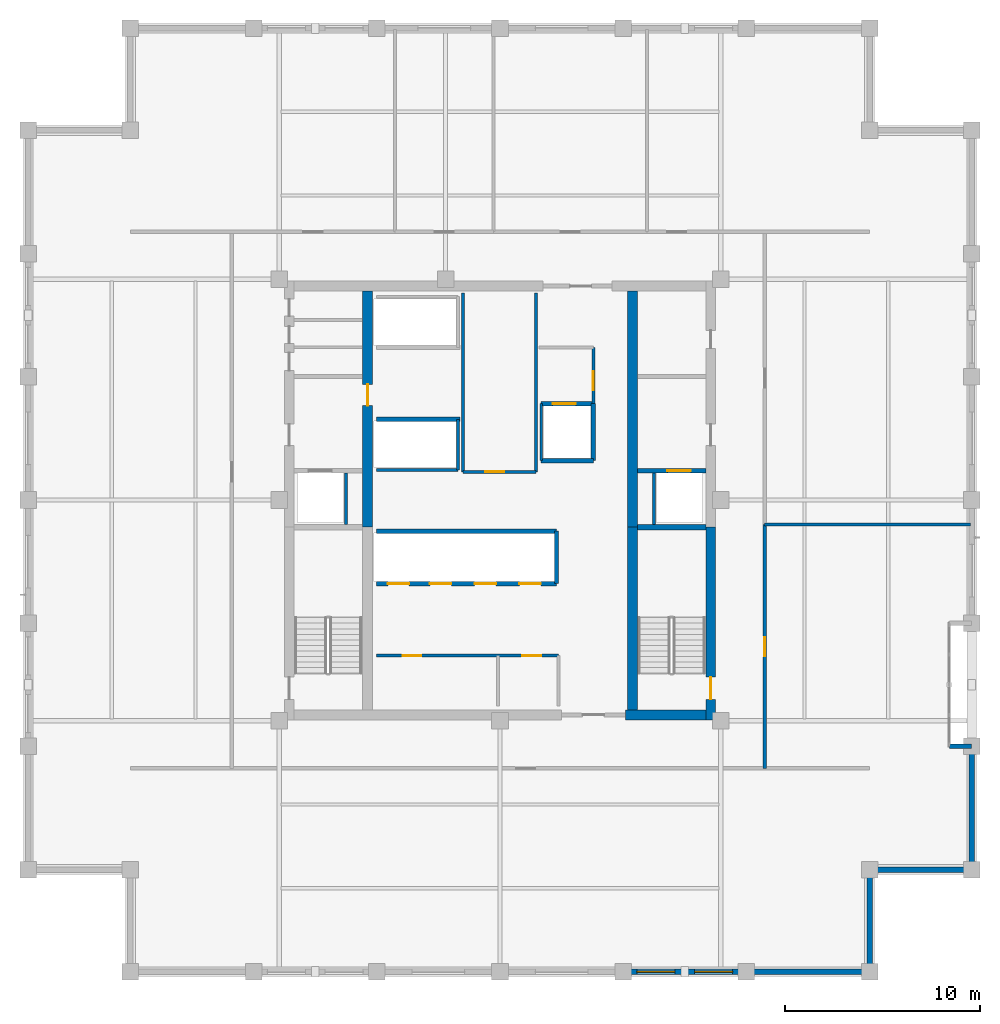
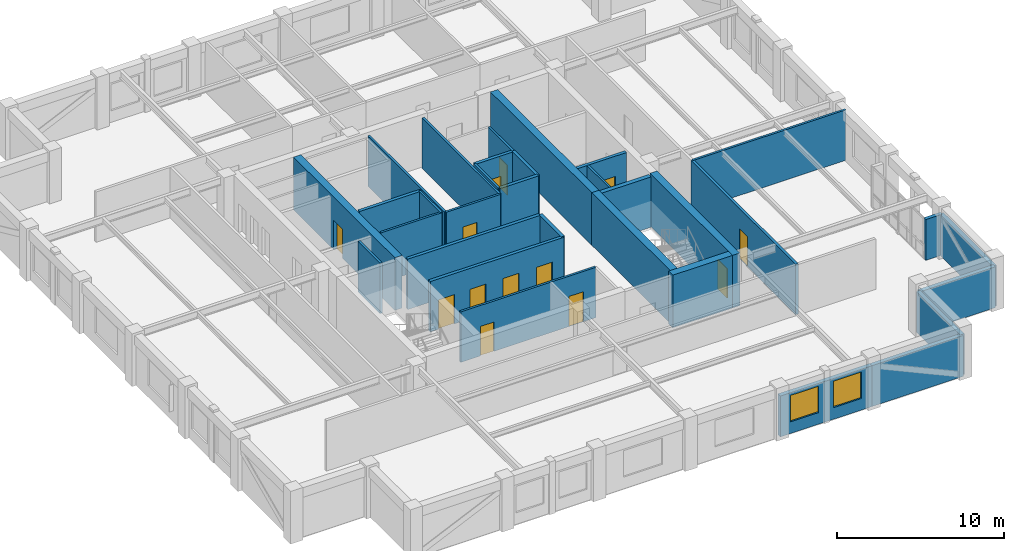
# One storey, part 8 of 11: 32 walls, 13 doors, 2 windows, 15 openings.
"""IFC4 building model written with IfcOpenShell, lengths in metres."""

from ifc_helpers import new_model, si_unit, direction, frame, frame_2d, origin, place, context, subcontext, project, spatial, rectangle, extrude, material, layer, layer_set, type_object, element, fill, save


model = new_model("IFC4")

# Units and contexts
model_context = context("Model", 3, precision=1e-05, world=origin(), true_north=direction((0.0, 1.0)))
body_context = subcontext(model_context, "Body", "Model", "MODEL_VIEW")
ifc_project = project(units=[si_unit("LENGTHUNIT", "METRE"), si_unit("AREAUNIT", "SQUARE_METRE"), si_unit("VOLUMEUNIT", "CUBIC_METRE"), si_unit("PLANEANGLEUNIT", "RADIAN"), si_unit("MASSUNIT", "GRAM", prefix="KILO")], contexts=[model_context])

# Site, building, storey
site_placement = place(None, origin())
site = spatial("IfcSite", under=ifc_project, at=site_placement, CompositionType="ELEMENT")
building_placement = place(site_placement, origin())
building = spatial("IfcBuilding", under=site, at=building_placement, Name="Nhamokura Convention Tower", CompositionType="ELEMENT")
storey_placement = place(building_placement, frame((0.0, 0.0, 244.64990234375)))
storey = spatial("IfcBuildingStorey", under=building, at=storey_placement, Name="L60", CompositionType="ELEMENT", Elevation=244.64990234375)

# Wall, openings, windows
ifc_material_1 = material(Name="Bronze-pigmented precast concrete C45/55", Category="concrete")
ifc_layer_1 = layer(ifc_material_1, 0.280029296875)
ifc_layer_set_1 = layer_set([ifc_layer_1], Name="BronzePrecastSpandrel_280")
wall_type_1 = type_object("IfcWallType", Name="BronzePrecastSpandrel_280", PredefinedType="USERDEFINED", material=ifc_layer_set_1)
wall_1_placement = place(storey_placement, frame((44.666748046875, 7.75, 0.0), z_axis=(0.0, 0.0, 1.0), x_axis=(-1.0, 0.0, 0.0)))
wall_1 = element("IfcWall", 1, at=wall_1_placement, inside=storey, type_object=wall_type_1, Name="L60 Masonry-Frame Wall SOUTH 4", ObjectType="SPANDREL_WALL", PredefinedType="USERDEFINED", context=body_context, shape_type="SweptSolid", body=[
    extrude(rectangle(XDim=6.33349609375, YDim=0.280029296875, at=frame_2d((3.166748046875, 0.0))), origin(), (0.0, 0.0, 1.0), 2.985107421875),
])
opening_1_placement = place(wall_1_placement, frame((0.708251953125, 0.0, 0.85009765625)))
opening_1 = element("IfcOpeningElement", 2, at=opening_1_placement, cuts=wall_1, Name="Opening W-08", PredefinedType="OPENING", context=body_context, shape_type="SweptSolid", body=[
    extrude(rectangle(XDim=1.949951171875, YDim=1.93505859375, at=frame_2d((0.97509765625, 0.967529296875))), frame((0.0, 0.14990234375, 0.0), z_axis=(0.0, -1.0, 0.0), x_axis=(1.0, 0.0, 0.0)), (0.0, 0.0, 1.0), 0.300048828125),
])
opening_2_placement = place(wall_1_placement, frame((3.675048828125, 0.0, 0.85009765625)))
opening_2 = element("IfcOpeningElement", 3, at=opening_2_placement, cuts=wall_1, Name="Opening W-08", PredefinedType="OPENING", context=body_context, shape_type="SweptSolid", body=[
    extrude(rectangle(XDim=1.949951171875, YDim=1.93505859375, at=frame_2d((0.97509765625, 0.967529296875))), frame((0.0, 0.14990234375, 0.0), z_axis=(0.0, -1.0, 0.0), x_axis=(1.0, 0.0, 0.0)), (0.0, 0.0, 1.0), 0.300048828125),
])
ifc_material_2 = material(Name="Solar-control bronze low-E double glass", Category="glass")
window_type = type_object("IfcWindowType", Name="OfficeModuleWindow_Z3_1950", PartitioningType="SINGLE_PANEL", PredefinedType="WINDOW", material=ifc_material_2)
window_1_placement = place(opening_1_placement, origin())
window_1 = element("IfcWindow", 4, at=window_1_placement, inside=storey, type_object=window_type, Name="L60 Facade Window SOUTH 4-1", OverallHeight=1.93505859375, OverallWidth=1.949951171875, PartitioningType="SINGLE_PANEL", PredefinedType="WINDOW", context=body_context, shape_type="SweptSolid", body=[
    extrude(rectangle(XDim=1.949951171875, YDim=1.93505859375, at=frame_2d((0.97509765625, 0.967529296875))), frame((0.0, 0.030029296875, 0.0), z_axis=(0.0, -1.0, 0.0), x_axis=(1.0, 0.0, 0.0)), (0.0, 0.0, 1.0), 0.06005859375),
])
fill(opening_1, window_1)
window_2_placement = place(opening_2_placement, origin())
window_2 = element("IfcWindow", 5, at=window_2_placement, inside=storey, type_object=window_type, Name="L60 Facade Window SOUTH 4-2", OverallHeight=1.93505859375, OverallWidth=1.949951171875, PartitioningType="SINGLE_PANEL", PredefinedType="WINDOW", context=body_context, shape_type="SweptSolid", body=[
    extrude(rectangle(XDim=1.949951171875, YDim=1.93505859375, at=frame_2d((0.97509765625, 0.967529296875))), frame((0.0, 0.030029296875, 0.0), z_axis=(0.0, -1.0, 0.0), x_axis=(1.0, 0.0, 0.0)), (0.0, 0.0, 1.0), 0.06005859375),
])
fill(opening_2, window_2)

# Walls
wall_2_placement = place(storey_placement, frame((51.0, 7.75, 0.0), z_axis=(0.0, 0.0, 1.0), x_axis=(-1.0, 0.0, 0.0)))
element("IfcWall", 6, at=wall_2_placement, inside=storey, type_object=wall_type_1, Name="L60 Braced-Bay Precast Wall SOUTH 5", ObjectType="SPANDREL_WALL", PredefinedType="USERDEFINED", context=body_context, shape_type="SweptSolid", body=[
    extrude(rectangle(XDim=6.333251953125, YDim=0.280029296875, at=frame_2d((3.16650390625, 0.0))), origin(), (0.0, 0.0, 1.0), 2.985107421875),
])
wall_3_placement = place(storey_placement, frame((56.25, 19.333251953125, 0.0), z_axis=(0.0, 0.0, 1.0), x_axis=(-1.0, 0.0, 0.0)))
element("IfcWall", 7, at=wall_3_placement, inside=storey, type_object=wall_type_1, Name="L60 Scale Slot Cheek Wall EASTA", ObjectType="SPANDREL_WALL", PredefinedType="USERDEFINED", context=body_context, shape_type="SweptSolid", body=[
    extrude(rectangle(XDim=1.14990234375, YDim=0.239990234375, at=frame_2d((0.574951171875, 0.0))), origin(), (0.0, 0.0, 1.0), 2.985107421875),
])
wall_4_placement = place(storey_placement, frame((56.25, 19.333251953125, 0.0), z_axis=(0.0, 0.0, 1.0), x_axis=(0.0, -1.0, 0.0)))
element("IfcWall", 8, at=wall_4_placement, inside=storey, type_object=wall_type_1, Name="L60 Braced-Bay Precast Wall EAST 0", ObjectType="SPANDREL_WALL", PredefinedType="USERDEFINED", context=body_context, shape_type="SweptSolid", body=[
    extrude(rectangle(XDim=6.333251953125, YDim=0.280029296875, at=frame_2d((3.16650390625, 0.0))), origin(), (0.0, 0.0, 1.0), 2.985107421875),
])
for number, where, z_axis, x_axis, name in (
    (9, (51.0, 13.0, 0.0), (0.0, 0.0, 1.0), (0.0, -1.0, 0.0), "L60 Notched Corner Wall SE1"),
    (10, (56.25, 13.0, 0.0), (0.0, 0.0, 1.0), (-1.0, 0.0, 0.0), "L60 Notched Corner Wall SE2"),
):
    element("IfcWall", number, at=place(storey_placement, frame(where, z_axis=z_axis, x_axis=x_axis)), inside=storey, type_object=wall_type_1, Name=name, ObjectType="SPANDREL_WALL", PredefinedType="USERDEFINED", context=body_context, shape_type="SweptSolid", body=[
        extrude(rectangle(XDim=5.25, YDim=0.280029296875, at=frame_2d((2.625, 0.0))), origin(), (0.0, 0.0, 1.0), 2.985107421875),
    ])

# Wall, opening, door
ifc_material_3 = material(Name="Concrete C60/75", Category="concrete")
ifc_layer_2 = layer(ifc_material_3, 0.5)
ifc_layer_set_2 = layer_set([ifc_layer_2], Name="CoreShearWall_500")
wall_type_2 = type_object("IfcWallType", Name="CoreShearWall_500", PredefinedType="SHEAR", material=ifc_layer_set_2)
wall_5_placement = place(storey_placement, frame((42.840087890625, 20.699951171875, 0.0), z_axis=(0.0, 0.0, 1.0), x_axis=(0.0, 1.0, 0.0)))
wall_5 = element("IfcWall", 11, at=wall_5_placement, inside=storey, type_object=wall_type_2, Name="L60 Core Shear Wall CW-ES", PredefinedType="SHEAR", context=body_context, shape_type="SweptSolid", body=[
    extrude(rectangle(XDim=9.900146484375, YDim=0.5, at=frame_2d((4.9501953125, 0.0))), origin(), (0.0, 0.0, 1.0), 3.85009765625),
])
opening_3_placement = place(wall_5_placement, frame((1.050048828125, 0.0, 0.0)))
opening_3 = element("IfcOpeningElement", 12, at=opening_3_placement, cuts=wall_5, Name="Opening D-04", PredefinedType="OPENING", context=body_context, shape_type="SweptSolid", body=[
    extrude(rectangle(XDim=1.14990234375, YDim=2.14990234375, at=frame_2d((0.574951171875, 1.074951171875))), frame((0.0, 0.260009765625, 0.0), z_axis=(0.0, -1.0, 0.0), x_axis=(1.0, 0.0, 0.0)), (0.0, 0.0, 1.0), 0.52001953125),
])
ifc_material_4 = material(Name="Fire-rated steel door", Category="steel")
door_type_1 = type_object("IfcDoorType", Name="StairSmokeDoor_1150", OperationType="NOTDEFINED", PredefinedType="DOOR", material=ifc_material_4)
door_1_placement = place(opening_3_placement, origin())
door_1 = element("IfcDoor", 13, at=door_1_placement, inside=storey, type_object=door_type_1, Name="L60 Core Door INT-L60-D-ST02", OperationType="SINGLE_SWING_RIGHT", OverallHeight=2.14990234375, OverallWidth=1.14990234375, PredefinedType="DOOR", context=body_context, shape_type="SweptSolid", body=[
    extrude(rectangle(XDim=1.14990234375, YDim=2.14990234375, at=frame_2d((0.574951171875, 1.074951171875))), frame((0.0, 0.02490234375, 0.0), z_axis=(0.0, -1.0, 0.0), x_axis=(1.0, 0.0, 0.0)), (0.0, 0.0, 1.0), 0.050048828125),
])
fill(opening_3, door_1)

# Wall
wall_6_placement = place(storey_placement, frame((38.449951171875, 20.949951171875, 0.0), z_axis=(0.0, 0.0, 1.0), x_axis=(1.0, 0.0, 0.0)))
element("IfcWall", 14, at=wall_6_placement, inside=storey, type_object=wall_type_2, Name="L60 Core Shear Wall CW-S2", PredefinedType="SHEAR", context=body_context, shape_type="SweptSolid", body=[
    extrude(rectangle(XDim=4.14013671875, YDim=0.5, at=frame_2d((2.070068359375, 0.0))), origin(), (0.0, 0.0, 1.0), 3.85009765625),
])

# Wall, opening, door
wall_7_placement = place(storey_placement, frame((25.18994140625, 30.60009765625, 0.0), z_axis=(0.0, 0.0, 1.0), x_axis=(0.0, 1.0, 0.0)))
wall_7 = element("IfcWall", 15, at=wall_7_placement, inside=storey, type_object=wall_type_2, Name="L60 Core Shear Wall CW-IWN", PredefinedType="SHEAR", context=body_context, shape_type="SweptSolid", body=[
    extrude(rectangle(XDim=12.14990234375, YDim=0.5, at=frame_2d((6.074951171875, 0.0))), origin(), (0.0, 0.0, 1.0), 3.85009765625),
])
opening_4_placement = place(wall_7_placement, frame((6.25, 0.0, 0.0)))
opening_4 = element("IfcOpeningElement", 16, at=opening_4_placement, cuts=wall_7, Name="Opening D-05", PredefinedType="OPENING", context=body_context, shape_type="SweptSolid", body=[
    extrude(rectangle(XDim=1.10009765625, YDim=2.14990234375, at=frame_2d((0.550048828125, 1.074951171875))), frame((0.0, 0.260009765625, 0.0), z_axis=(0.0, -1.0, 0.0), x_axis=(1.0, 0.0, 0.0)), (0.0, 0.0, 1.0), 0.52001953125),
])
ifc_material_5 = material(Name="Fire-rated steel door", Category="steel")
door_type_2 = type_object("IfcDoorType", Name="FireLobbyDoor_1100", OperationType="NOTDEFINED", PredefinedType="DOOR", material=ifc_material_5)
door_2_placement = place(opening_4_placement, origin())
door_2 = element("IfcDoor", 17, at=door_2_placement, inside=storey, type_object=door_type_2, Name="L60 Core Door INT-L60-D-B3LOB", OperationType="SINGLE_SWING_LEFT", OverallHeight=2.14990234375, OverallWidth=1.10009765625, PredefinedType="DOOR", context=body_context, shape_type="SweptSolid", body=[
    extrude(rectangle(XDim=1.10009765625, YDim=2.14990234375, at=frame_2d((0.550048828125, 1.074951171875))), frame((0.0, 0.02490234375, 0.0), z_axis=(0.0, -1.0, 0.0), x_axis=(1.0, 0.0, 0.0)), (0.0, 0.0, 1.0), 0.050048828125),
])
fill(opening_4, door_2)

# Walls
wall_8_placement = place(storey_placement, frame((38.81005859375, 21.199951171875, 0.0), z_axis=(0.0, 0.0, 1.0), x_axis=(0.0, 1.0, 0.0)))
element("IfcWall", 18, at=wall_8_placement, inside=storey, type_object=wall_type_2, Name="L60 Core Shear Wall CW-IES", PredefinedType="SHEAR", context=body_context, shape_type="SweptSolid", body=[
    extrude(rectangle(XDim=9.400146484375, YDim=0.5, at=frame_2d((4.7001953125, 0.0))), origin(), (0.0, 0.0, 1.0), 3.85009765625),
])
wall_9_placement = place(storey_placement, frame((38.81005859375, 30.60009765625, 0.0), z_axis=(0.0, 0.0, 1.0), x_axis=(0.0, 1.0, 0.0)))
element("IfcWall", 19, at=wall_9_placement, inside=storey, type_object=wall_type_2, Name="L60 Core Shear Wall CW-IEN", PredefinedType="SHEAR", context=body_context, shape_type="SweptSolid", body=[
    extrude(rectangle(XDim=12.14990234375, YDim=0.5, at=frame_2d((6.074951171875, 0.0))), origin(), (0.0, 0.0, 1.0), 3.85009765625),
])

# Wall, opening, door
ifc_material_6 = material(Name="Fire-rated gypsum and masonry partition", Category="masonry")
ifc_layer_3 = layer(ifc_material_6, 0.179931640625)
ifc_layer_set_3 = layer_set([ifc_layer_3], Name="CorridorRatedWall_180")
wall_type_3 = type_object("IfcWallType", Name="CorridorRatedWall_180", PredefinedType="STANDARD", material=ifc_layer_set_3)
wall_10_placement = place(storey_placement, frame((45.60009765625, 18.199951171875, 0.0), z_axis=(0.0, 0.0, 1.0), x_axis=(0.0, 1.0, 0.0)))
wall_10 = element("IfcWall", 20, at=wall_10_placement, inside=storey, type_object=wall_type_3, Name="L60 Wall INT-L60-CW-E00", PredefinedType="STANDARD", context=body_context, shape_type="SweptSolid", body=[
    extrude(rectangle(XDim=12.550048828125, YDim=0.179931640625, at=frame_2d((6.27490234375, 0.0))), origin(), (0.0, 0.0, 1.0), 3.68505859375),
])
opening_5_placement = place(wall_10_placement, frame((5.77490234375, 0.0, 0.0)))
opening_5 = element("IfcOpeningElement", 21, at=opening_5_placement, cuts=wall_10, Name="Opening D-08", PredefinedType="OPENING", context=body_context, shape_type="SweptSolid", body=[
    extrude(rectangle(XDim=0.97998046875, YDim=2.199951171875, at=frame_2d((0.489990234375, 1.10009765625))), frame((0.0, 0.099853515625, 0.0), z_axis=(0.0, -1.0, 0.0), x_axis=(1.0, 0.0, 0.0)), (0.0, 0.0, 1.0), 0.199951171875),
])
ifc_material_7 = material(Name="Solid oak hardwood", Category="wood")
door_type_3 = type_object("IfcDoorType", Name="OfficeEntryDoor_980", OperationType="NOTDEFINED", PredefinedType="DOOR", material=ifc_material_7)
door_3_placement = place(opening_5_placement, origin())
door_3 = element("IfcDoor", 22, at=door_3_placement, inside=storey, type_object=door_type_3, Name="L60 Recreation Lounge E01 Door", OperationType="SINGLE_SWING_LEFT", OverallHeight=2.199951171875, OverallWidth=0.97998046875, PredefinedType="DOOR", context=body_context, shape_type="SweptSolid", body=[
    extrude(rectangle(XDim=0.97998046875, YDim=2.199951171875, at=frame_2d((0.489990234375, 1.10009765625))), frame((0.0, 0.02490234375, 0.0), z_axis=(0.0, -1.0, 0.0), x_axis=(1.0, 0.0, 0.0)), (0.0, 0.0, 1.0), 0.050048828125),
])
fill(opening_5, door_3)

ifc_material_8 = material(Name="Autoclaved concrete blockwork", Category="masonry")
ifc_layer_4 = layer(ifc_material_8, 0.219970703125)
ifc_layer_set_4 = layer_set([ifc_layer_4], Name="FireLobbyWall_220")
wall_type_4 = type_object("IfcWallType", Name="FireLobbyWall_220", PredefinedType="STANDARD", material=ifc_layer_set_4)
wall_11_placement = place(storey_placement, frame((39.06005859375, 33.5, 0.0), z_axis=(0.0, 0.0, 1.0), x_axis=(1.0, 0.0, 0.0)))
wall_11 = element("IfcWall", 23, at=wall_11_placement, inside=storey, type_object=wall_type_4, Name="L60 Wall INT-L60-FFE-S", PredefinedType="STANDARD", context=body_context, shape_type="SweptSolid", body=[
    extrude(rectangle(XDim=3.530029296875, YDim=0.219970703125, at=frame_2d((1.76513671875, 0.0))), origin(), (0.0, 0.0, 1.0), 3.68505859375),
])
opening_6_placement = place(wall_11_placement, frame((1.550048828125, 0.0, 0.0)))
opening_6 = element("IfcOpeningElement", 24, at=opening_6_placement, cuts=wall_11, Name="Opening LD-02", PredefinedType="OPENING", context=body_context, shape_type="SweptSolid", body=[
    extrude(rectangle(XDim=1.199951171875, YDim=2.199951171875, at=frame_2d((0.60009765625, 1.10009765625))), frame((0.0, 0.119873046875, 0.0), z_axis=(0.0, -1.0, 0.0), x_axis=(1.0, 0.0, 0.0)), (0.0, 0.0, 1.0), 0.239990234375),
])
ifc_material_9 = material(Name="Anodised bronze stainless steel", Category="steel")
door_type_4 = type_object("IfcDoorType", Name="LiftLandingDoor_FireService", OperationType="DOUBLE_DOOR_SLIDING", PredefinedType="DOOR", material=ifc_material_9)
door_4_placement = place(opening_6_placement, origin())
door_4 = element("IfcDoor", 25, at=door_4_placement, inside=storey, type_object=door_type_4, Name="L60 Firefighting Lift LF-02 Door", OperationType="DOUBLE_DOOR_SLIDING", OverallHeight=2.199951171875, OverallWidth=1.199951171875, PredefinedType="DOOR", context=body_context, shape_type="SweptSolid", body=[
    extrude(rectangle(XDim=1.199951171875, YDim=2.199951171875, at=frame_2d((0.60009765625, 1.10009765625))), frame((0.0, 0.02490234375, 0.0), z_axis=(0.0, -1.0, 0.0), x_axis=(1.0, 0.0, 0.0)), (0.0, 0.0, 1.0), 0.050048828125),
])
fill(opening_6, door_4)

# Wall, openings, doors
wall_12_placement = place(storey_placement, frame((25.64990234375, 27.699951171875, 0.0), z_axis=(0.0, 0.0, 1.0), x_axis=(1.0, 0.0, 0.0)))
wall_12 = element("IfcWall", 26, at=wall_12_placement, inside=storey, type_object=wall_type_4, Name="L60 Wall INT-L60-B2S", PredefinedType="STANDARD", context=body_context, shape_type="SweptSolid", body=[
    extrude(rectangle(XDim=9.25, YDim=0.219970703125, at=frame_2d((4.625, 0.0))), origin(), (0.0, 0.0, 1.0), 3.68505859375),
])
opening_7_placement = place(wall_12_placement, frame((0.580078125, 0.0, 0.0)))
opening_7 = element("IfcOpeningElement", 27, at=opening_7_placement, cuts=wall_12, Name="Opening LD-01", PredefinedType="OPENING", context=body_context, shape_type="SweptSolid", body=[
    extrude(rectangle(XDim=1.10009765625, YDim=2.14990234375, at=frame_2d((0.550048828125, 1.074951171875))), frame((0.0, 0.119873046875, 0.0), z_axis=(0.0, -1.0, 0.0), x_axis=(1.0, 0.0, 0.0)), (0.0, 0.0, 1.0), 0.239990234375),
])
opening_8_placement = place(wall_12_placement, frame((2.75, 0.0, 0.0)))
opening_8 = element("IfcOpeningElement", 28, at=opening_8_placement, cuts=wall_12, Name="Opening LD-01", PredefinedType="OPENING", context=body_context, shape_type="SweptSolid", body=[
    extrude(rectangle(XDim=1.10009765625, YDim=2.14990234375, at=frame_2d((0.550048828125, 1.074951171875))), frame((0.0, 0.119873046875, 0.0), z_axis=(0.0, -1.0, 0.0), x_axis=(1.0, 0.0, 0.0)), (0.0, 0.0, 1.0), 0.239990234375),
])
opening_9_placement = place(wall_12_placement, frame((5.050048828125, 0.0, 0.0)))
opening_9 = element("IfcOpeningElement", 29, at=opening_9_placement, cuts=wall_12, Name="Opening LD-01", PredefinedType="OPENING", context=body_context, shape_type="SweptSolid", body=[
    extrude(rectangle(XDim=1.10009765625, YDim=2.14990234375, at=frame_2d((0.550048828125, 1.074951171875))), frame((0.0, 0.119873046875, 0.0), z_axis=(0.0, -1.0, 0.0), x_axis=(1.0, 0.0, 0.0)), (0.0, 0.0, 1.0), 0.239990234375),
])
opening_10_placement = place(wall_12_placement, frame((7.35009765625, 0.0, 0.0)))
opening_10 = element("IfcOpeningElement", 30, at=opening_10_placement, cuts=wall_12, Name="Opening LD-01", PredefinedType="OPENING", context=body_context, shape_type="SweptSolid", body=[
    extrude(rectangle(XDim=1.10009765625, YDim=2.14990234375, at=frame_2d((0.550048828125, 1.074951171875))), frame((0.0, 0.119873046875, 0.0), z_axis=(0.0, -1.0, 0.0), x_axis=(1.0, 0.0, 0.0)), (0.0, 0.0, 1.0), 0.239990234375),
])
ifc_material_10 = material(Name="Anodised bronze stainless steel", Category="steel")
door_type_5 = type_object("IfcDoorType", Name="LiftLandingDoor_Passenger", OperationType="DOUBLE_DOOR_SLIDING", PredefinedType="DOOR", material=ifc_material_10)
door_5_placement = place(opening_7_placement, origin())
door_5 = element("IfcDoor", 31, at=door_5_placement, inside=storey, type_object=door_type_5, Name="L60 Lift LP-05 Landing Door", OperationType="DOUBLE_DOOR_SLIDING", OverallHeight=2.14990234375, OverallWidth=1.10009765625, PredefinedType="DOOR", context=body_context, shape_type="SweptSolid", body=[
    extrude(rectangle(XDim=1.10009765625, YDim=2.14990234375, at=frame_2d((0.550048828125, 1.074951171875))), frame((0.0, 0.02490234375, 0.0), z_axis=(0.0, -1.0, 0.0), x_axis=(1.0, 0.0, 0.0)), (0.0, 0.0, 1.0), 0.050048828125),
])
fill(opening_7, door_5)
door_6_placement = place(opening_8_placement, origin())
door_6 = element("IfcDoor", 32, at=door_6_placement, inside=storey, type_object=door_type_5, Name="L60 Lift LP-06 Landing Door", OperationType="DOUBLE_DOOR_SLIDING", OverallHeight=2.14990234375, OverallWidth=1.10009765625, PredefinedType="DOOR", context=body_context, shape_type="SweptSolid", body=[
    extrude(rectangle(XDim=1.10009765625, YDim=2.14990234375, at=frame_2d((0.550048828125, 1.074951171875))), frame((0.0, 0.02490234375, 0.0), z_axis=(0.0, -1.0, 0.0), x_axis=(1.0, 0.0, 0.0)), (0.0, 0.0, 1.0), 0.050048828125),
])
fill(opening_8, door_6)
door_7_placement = place(opening_9_placement, origin())
door_7 = element("IfcDoor", 33, at=door_7_placement, inside=storey, type_object=door_type_5, Name="L60 Lift LP-07 Landing Door", OperationType="DOUBLE_DOOR_SLIDING", OverallHeight=2.14990234375, OverallWidth=1.10009765625, PredefinedType="DOOR", context=body_context, shape_type="SweptSolid", body=[
    extrude(rectangle(XDim=1.10009765625, YDim=2.14990234375, at=frame_2d((0.550048828125, 1.074951171875))), frame((0.0, 0.02490234375, 0.0), z_axis=(0.0, -1.0, 0.0), x_axis=(1.0, 0.0, 0.0)), (0.0, 0.0, 1.0), 0.050048828125),
])
fill(opening_9, door_7)
door_8_placement = place(opening_10_placement, origin())
door_8 = element("IfcDoor", 34, at=door_8_placement, inside=storey, type_object=door_type_5, Name="L60 Lift LP-08 Landing Door", OperationType="DOUBLE_DOOR_SLIDING", OverallHeight=2.14990234375, OverallWidth=1.10009765625, PredefinedType="DOOR", context=body_context, shape_type="SweptSolid", body=[
    extrude(rectangle(XDim=1.10009765625, YDim=2.14990234375, at=frame_2d((0.550048828125, 1.074951171875))), frame((0.0, 0.02490234375, 0.0), z_axis=(0.0, -1.0, 0.0), x_axis=(1.0, 0.0, 0.0)), (0.0, 0.0, 1.0), 0.050048828125),
])
fill(opening_10, door_8)

# Walls
wall_13_placement = place(storey_placement, frame((25.64990234375, 30.39990234375, 0.0), z_axis=(0.0, 0.0, 1.0), x_axis=(1.0, 0.0, 0.0)))
element("IfcWall", 35, at=wall_13_placement, inside=storey, type_object=wall_type_4, Name="L60 Wall INT-L60-B2N", PredefinedType="STANDARD", context=body_context, shape_type="SweptSolid", body=[
    extrude(rectangle(XDim=9.25, YDim=0.219970703125, at=frame_2d((4.625, 0.0))), origin(), (0.0, 0.0, 1.0), 3.68505859375),
])
wall_14_placement = place(storey_placement, frame((34.89990234375, 27.699951171875, 0.0), z_axis=(0.0, 0.0, 1.0), x_axis=(0.0, 1.0, 0.0)))
element("IfcWall", 36, at=wall_14_placement, inside=storey, type_object=wall_type_4, Name="L60 Wall INT-L60-B2E", PredefinedType="STANDARD", context=body_context, shape_type="SweptSolid", body=[
    extrude(rectangle(XDim=2.699951171875, YDim=0.219970703125, at=frame_2d((1.35009765625, 0.0))), origin(), (0.0, 0.0, 1.0), 3.68505859375),
])
wall_15_placement = place(storey_placement, frame((25.64990234375, 36.14990234375, 0.0), z_axis=(0.0, 0.0, 1.0), x_axis=(1.0, 0.0, 0.0)))
element("IfcWall", 37, at=wall_15_placement, inside=storey, type_object=wall_type_4, Name="L60 Wall INT-L60-B3S", PredefinedType="STANDARD", context=body_context, shape_type="SweptSolid", body=[
    extrude(rectangle(XDim=4.300048828125, YDim=0.219970703125, at=frame_2d((2.14990234375, 0.0))), origin(), (0.0, 0.0, 1.0), 3.68505859375),
])

# Wall, opening, door
wall_16_placement = place(storey_placement, frame((34.1201171875, 36.949951171875, 0.0), z_axis=(0.0, 0.0, 1.0), x_axis=(1.0, 0.0, 0.0)))
wall_16 = element("IfcWall", 38, at=wall_16_placement, inside=storey, type_object=wall_type_4, Name="L60 Wall INT-L60-LSN", PredefinedType="STANDARD", context=body_context, shape_type="SweptSolid", body=[
    extrude(rectangle(XDim=2.679931640625, YDim=0.219970703125, at=frame_2d((1.33984375, 0.0))), origin(), (0.0, 0.0, 1.0), 3.68505859375),
])
opening_11_placement = place(wall_16_placement, frame((0.580078125, 0.0, 0.0)))
opening_11 = element("IfcOpeningElement", 39, at=opening_11_placement, cuts=wall_16, Name="Opening LD-02", PredefinedType="OPENING", context=body_context, shape_type="SweptSolid", body=[
    extrude(rectangle(XDim=1.199951171875, YDim=2.199951171875, at=frame_2d((0.60009765625, 1.10009765625))), frame((0.0, 0.119873046875, 0.0), z_axis=(0.0, -1.0, 0.0), x_axis=(1.0, 0.0, 0.0)), (0.0, 0.0, 1.0), 0.239990234375),
])
door_9_placement = place(opening_11_placement, origin())
door_9 = element("IfcDoor", 40, at=door_9_placement, inside=storey, type_object=door_type_4, Name="L60 Service Lift LS-01 Door", OperationType="DOUBLE_DOOR_SLIDING", OverallHeight=2.199951171875, OverallWidth=1.199951171875, PredefinedType="DOOR", context=body_context, shape_type="SweptSolid", body=[
    extrude(rectangle(XDim=1.199951171875, YDim=2.199951171875, at=frame_2d((0.60009765625, 1.10009765625))), frame((0.0, 0.02490234375, 0.0), z_axis=(0.0, -1.0, 0.0), x_axis=(1.0, 0.0, 0.0)), (0.0, 0.0, 1.0), 0.050048828125),
])
fill(opening_11, door_9)

# Walls
wall_17_placement = place(storey_placement, frame((36.800048828125, 34.02001953125, 0.0), z_axis=(0.0, 0.0, 1.0), x_axis=(0.0, 1.0, 0.0)))
element("IfcWall", 41, at=wall_17_placement, inside=storey, type_object=wall_type_4, Name="L60 Wall INT-L60-LSE", PredefinedType="STANDARD", context=body_context, shape_type="SweptSolid", body=[
    extrude(rectangle(XDim=2.929931640625, YDim=0.219970703125, at=frame_2d((1.46484375, 0.0))), origin(), (0.0, 0.0, 1.0), 3.68505859375),
])
wall_18_placement = place(storey_placement, frame((34.1201171875, 34.02001953125, 0.0), z_axis=(0.0, 0.0, 1.0), x_axis=(1.0, 0.0, 0.0)))
element("IfcWall", 42, at=wall_18_placement, inside=storey, type_object=wall_type_4, Name="L60 Wall INT-L60-LSS", PredefinedType="STANDARD", context=body_context, shape_type="SweptSolid", body=[
    extrude(rectangle(XDim=2.679931640625, YDim=0.219970703125, at=frame_2d((1.33984375, 0.0))), origin(), (0.0, 0.0, 1.0), 3.68505859375),
])
ifc_material_11 = material(Name="Acoustic gypsum stud partition", Category="masonry")
ifc_layer_5 = layer(ifc_material_11, 0.14990234375)
ifc_layer_set_5 = layer_set([ifc_layer_5], Name="InteriorPartition_150")
wall_type_5 = type_object("IfcWallType", Name="InteriorPartition_150", PredefinedType="STANDARD", material=ifc_layer_set_5)
for number, where, z_axis, x_axis, name in (
    (43, (24.080078125, 30.75, 0.0), (0.0, 0.0, 1.0), (0.0, 1.0, 0.0), "L60 Wall INT-L60-FF1-E"),
    (44, (39.919921875, 30.75, 0.0), (0.0, 0.0, 1.0), (0.0, 1.0, 0.0), "L60 Wall INT-L60-FF2-W"),
):
    element("IfcWall", number, at=place(storey_placement, frame(where, z_axis=z_axis, x_axis=x_axis)), inside=storey, type_object=wall_type_5, Name=name, PredefinedType="STANDARD", context=body_context, shape_type="SweptSolid", body=[
        extrude(rectangle(XDim=2.64990234375, YDim=0.14990234375, at=frame_2d((1.324951171875, 0.0))), origin(), (0.0, 0.0, 1.0), 3.68505859375),
    ])

# Wall, opening, door
wall_19_placement = place(storey_placement, frame((36.800048828125, 36.949951171875, 0.0), z_axis=(0.0, 0.0, 1.0), x_axis=(0.0, 1.0, 0.0)))
wall_19 = element("IfcWall", 45, at=wall_19_placement, inside=storey, type_object=wall_type_5, Name="L60 Wall INT-L60-NE-TELE", PredefinedType="STANDARD", context=body_context, shape_type="SweptSolid", body=[
    extrude(rectangle(XDim=2.900146484375, YDim=0.14990234375, at=frame_2d((1.4501953125, 0.0))), origin(), (0.0, 0.0, 1.0), 3.68505859375),
])
opening_12_placement = place(wall_19_placement, frame((0.699951171875, 0.0, 0.0)))
opening_12 = element("IfcOpeningElement", 46, at=opening_12_placement, cuts=wall_19, Name="Opening D-08", PredefinedType="OPENING", context=body_context, shape_type="SweptSolid", body=[
    extrude(rectangle(XDim=0.97998046875, YDim=2.199951171875, at=frame_2d((0.489990234375, 1.10009765625))), frame((0.0, 0.0849609375, 0.0), z_axis=(0.0, -1.0, 0.0), x_axis=(1.0, 0.0, 0.0)), (0.0, 0.0, 1.0), 0.169921875),
])
door_10_placement = place(opening_12_placement, origin())
door_10 = element("IfcDoor", 47, at=door_10_placement, inside=storey, type_object=door_type_3, Name="L60 Core Telecom Door", OperationType="SINGLE_SWING_LEFT", OverallHeight=2.199951171875, OverallWidth=0.97998046875, PredefinedType="DOOR", context=body_context, shape_type="SweptSolid", body=[
    extrude(rectangle(XDim=0.97998046875, YDim=2.199951171875, at=frame_2d((0.489990234375, 1.10009765625))), frame((0.0, 0.02490234375, 0.0), z_axis=(0.0, -1.0, 0.0), x_axis=(1.0, 0.0, 0.0)), (0.0, 0.0, 1.0), 0.050048828125),
])
fill(opening_12, door_10)

# Wall, openings, doors
wall_20_placement = place(storey_placement, frame((25.64990234375, 24.0, 0.0), z_axis=(0.0, 0.0, 1.0), x_axis=(1.0, 0.0, 0.0)))
wall_20 = element("IfcWall", 48, at=wall_20_placement, inside=storey, type_object=wall_type_5, Name="L60 Wall INT-L60-B1R-N", PredefinedType="STANDARD", context=body_context, shape_type="SweptSolid", body=[
    extrude(rectangle(XDim=9.35009765625, YDim=0.14990234375, at=frame_2d((4.675048828125, 0.0))), origin(), (0.0, 0.0, 1.0), 3.68505859375),
])
opening_13_placement = place(wall_20_placement, frame((1.35009765625, 0.0, 0.0)))
opening_13 = element("IfcOpeningElement", 49, at=opening_13_placement, cuts=wall_20, Name="Opening D-09", PredefinedType="OPENING", context=body_context, shape_type="SweptSolid", body=[
    extrude(rectangle(XDim=0.949951171875, YDim=2.14990234375, at=frame_2d((0.47509765625, 1.074951171875))), frame((0.0, 0.0849609375, 0.0), z_axis=(0.0, -1.0, 0.0), x_axis=(1.0, 0.0, 0.0)), (0.0, 0.0, 1.0), 0.169921875),
])
opening_14_placement = place(wall_20_placement, frame((7.5, 0.0, 0.0)))
opening_14 = element("IfcOpeningElement", 50, at=opening_14_placement, cuts=wall_20, Name="Opening D-08", PredefinedType="OPENING", context=body_context, shape_type="SweptSolid", body=[
    extrude(rectangle(XDim=0.97998046875, YDim=2.199951171875, at=frame_2d((0.489990234375, 1.10009765625))), frame((0.0, 0.0849609375, 0.0), z_axis=(0.0, -1.0, 0.0), x_axis=(1.0, 0.0, 0.0)), (0.0, 0.0, 1.0), 0.169921875),
])
ifc_material_12 = material(Name="Solid oak hardwood", Category="wood")
door_type_6 = type_object("IfcDoorType", Name="MeetingRoomDoor_950", OperationType="NOTDEFINED", PredefinedType="DOOR", material=ifc_material_12)
door_11_placement = place(opening_13_placement, origin())
door_11 = element("IfcDoor", 51, at=door_11_placement, inside=storey, type_object=door_type_6, Name="L60 Reclaimed Briefing Room Door", OperationType="SINGLE_SWING_LEFT", OverallHeight=2.14990234375, OverallWidth=0.949951171875, PredefinedType="DOOR", context=body_context, shape_type="SweptSolid", body=[
    extrude(rectangle(XDim=0.949951171875, YDim=2.14990234375, at=frame_2d((0.47509765625, 1.074951171875))), frame((0.0, 0.02490234375, 0.0), z_axis=(0.0, -1.0, 0.0), x_axis=(1.0, 0.0, 0.0)), (0.0, 0.0, 1.0), 0.050048828125),
])
fill(opening_13, door_11)
door_12_placement = place(opening_14_placement, origin())
door_12 = element("IfcDoor", 52, at=door_12_placement, inside=storey, type_object=door_type_3, Name="L60 Reclaimed Hub Door", OperationType="SINGLE_SWING_RIGHT", OverallHeight=2.199951171875, OverallWidth=0.97998046875, PredefinedType="DOOR", context=body_context, shape_type="SweptSolid", body=[
    extrude(rectangle(XDim=0.97998046875, YDim=2.199951171875, at=frame_2d((0.489990234375, 1.10009765625))), frame((0.0, 0.02490234375, 0.0), z_axis=(0.0, -1.0, 0.0), x_axis=(1.0, 0.0, 0.0)), (0.0, 0.0, 1.0), 0.050048828125),
])
fill(opening_14, door_12)

# Walls
wall_21_placement = place(storey_placement, frame((25.64990234375, 33.550048828125, 0.0), z_axis=(0.0, 0.0, 1.0), x_axis=(1.0, 0.0, 0.0)))
element("IfcWall", 53, at=wall_21_placement, inside=storey, type_object=wall_type_5, Name="L60 Wall INT-L60-B3A-S", PredefinedType="STANDARD", context=body_context, shape_type="SweptSolid", body=[
    extrude(rectangle(XDim=4.2001953125, YDim=0.14990234375, at=frame_2d((2.10009765625, 0.0))), origin(), (0.0, 0.0, 1.0), 3.68505859375),
])
wall_22_placement = place(storey_placement, frame((29.85009765625, 33.550048828125, 0.0), z_axis=(0.0, 0.0, 1.0), x_axis=(0.0, 1.0, 0.0)))
element("IfcWall", 54, at=wall_22_placement, inside=storey, type_object=wall_type_5, Name="L60 Wall INT-L60-B3A-E", PredefinedType="STANDARD", context=body_context, shape_type="SweptSolid", body=[
    extrude(rectangle(XDim=2.599853515625, YDim=0.14990234375, at=frame_2d((1.2998046875, 0.0))), origin(), (0.0, 0.0, 1.0), 3.68505859375),
])
for number, where, z_axis, x_axis, name in (
    (55, (30.10009765625, 33.449951171875, 0.0), (0.0, 0.0, 1.0), (0.0, 1.0, 0.0), "L60 Wall INT-L60-ST03W"),
    (56, (33.85009765625, 33.449951171875, 0.0), (0.0, 0.0, 1.0), (0.0, 1.0, 0.0), "L60 Wall INT-L60-ST03E"),
):
    element("IfcWall", number, at=place(storey_placement, frame(where, z_axis=z_axis, x_axis=x_axis)), inside=storey, type_object=wall_type_5, Name=name, PredefinedType="STANDARD", context=body_context, shape_type="SweptSolid", body=[
        extrude(rectangle(XDim=9.199951171875, YDim=0.14990234375, at=frame_2d((4.60009765625, 0.0))), origin(), (0.0, 0.0, 1.0), 3.68505859375),
    ])

# Wall, opening, door
wall_23_placement = place(storey_placement, frame((30.10009765625, 33.449951171875, 0.0), z_axis=(0.0, 0.0, 1.0), x_axis=(1.0, 0.0, 0.0)))
wall_23 = element("IfcWall", 57, at=wall_23_placement, inside=storey, type_object=wall_type_5, Name="L60 Wall INT-L60-ST03S", PredefinedType="STANDARD", context=body_context, shape_type="SweptSolid", body=[
    extrude(rectangle(XDim=3.75, YDim=0.14990234375, at=frame_2d((1.875, 0.0))), origin(), (0.0, 0.0, 1.0), 3.68505859375),
])
opening_15_placement = place(wall_23_placement, frame((1.14990234375, 0.0, 0.0)))
opening_15 = element("IfcOpeningElement", 58, at=opening_15_placement, cuts=wall_23, Name="Opening D-08", PredefinedType="OPENING", context=body_context, shape_type="SweptSolid", body=[
    extrude(rectangle(XDim=0.97998046875, YDim=2.199951171875, at=frame_2d((0.489990234375, 1.10009765625))), frame((0.0, 0.0849609375, 0.0), z_axis=(0.0, -1.0, 0.0), x_axis=(1.0, 0.0, 0.0)), (0.0, 0.0, 1.0), 0.169921875),
])
door_13_placement = place(opening_15_placement, origin())
door_13 = element("IfcDoor", 59, at=door_13_placement, inside=storey, type_object=door_type_3, Name="L60 Wellness and Records Room Door", OperationType="SINGLE_SWING_LEFT", OverallHeight=2.199951171875, OverallWidth=0.97998046875, PredefinedType="DOOR", context=body_context, shape_type="SweptSolid", body=[
    extrude(rectangle(XDim=0.97998046875, YDim=2.199951171875, at=frame_2d((0.489990234375, 1.10009765625))), frame((0.0, 0.02490234375, 0.0), z_axis=(0.0, -1.0, 0.0), x_axis=(1.0, 0.0, 0.0)), (0.0, 0.0, 1.0), 0.050048828125),
])
fill(opening_15, door_13)

# Walls
wall_24_placement = place(storey_placement, frame((34.1201171875, 34.02001953125, 0.0), z_axis=(0.0, 0.0, 1.0), x_axis=(0.0, 1.0, 0.0)))
element("IfcWall", 60, at=wall_24_placement, inside=storey, type_object=wall_type_5, Name="L60 Wall INT-L60-LSW", PredefinedType="STANDARD", context=body_context, shape_type="SweptSolid", body=[
    extrude(rectangle(XDim=2.929931640625, YDim=0.14990234375, at=frame_2d((1.46484375, 0.0))), origin(), (0.0, 0.0, 1.0), 3.68505859375),
])
wall_25_placement = place(storey_placement, frame((45.60009765625, 30.75, 0.0), z_axis=(0.0, 0.0, 1.0), x_axis=(1.0, 0.0, 0.0)))
element("IfcWall", 61, at=wall_25_placement, inside=storey, type_object=wall_type_5, Name="L60 Wall INT-L60-RW-E01", PredefinedType="STANDARD", context=body_context, shape_type="SweptSolid", body=[
    extrude(rectangle(XDim=10.58984375, YDim=0.14990234375, at=frame_2d((5.294921875, 0.0))), origin(), (0.0, 0.0, 1.0), 3.68505859375),
])
ifc_material_13 = material(Name="Concrete C50/60", Category="concrete")
ifc_layer_6 = layer(ifc_material_13, 0.300048828125)
ifc_layer_set_6 = layer_set([ifc_layer_6], Name="ShaftEnclosureWall_300")
wall_type_6 = type_object("IfcWallType", Name="ShaftEnclosureWall_300", PredefinedType="SHEAR", material=ifc_layer_set_6)
wall_26_placement = place(storey_placement, frame((39.06005859375, 30.60009765625, 0.0), z_axis=(0.0, 0.0, 1.0), x_axis=(1.0, 0.0, 0.0)))
element("IfcWall", 62, at=wall_26_placement, inside=storey, type_object=wall_type_6, Name="L60 Wall INT-L60-ST02-N", PredefinedType="SHEAR", context=body_context, shape_type="SweptSolid", body=[
    extrude(rectangle(XDim=3.530029296875, YDim=0.300048828125, at=frame_2d((1.76513671875, 0.0))), origin(), (0.0, 0.0, 1.0), 3.68505859375),
])

save(model, "model.ifc")
